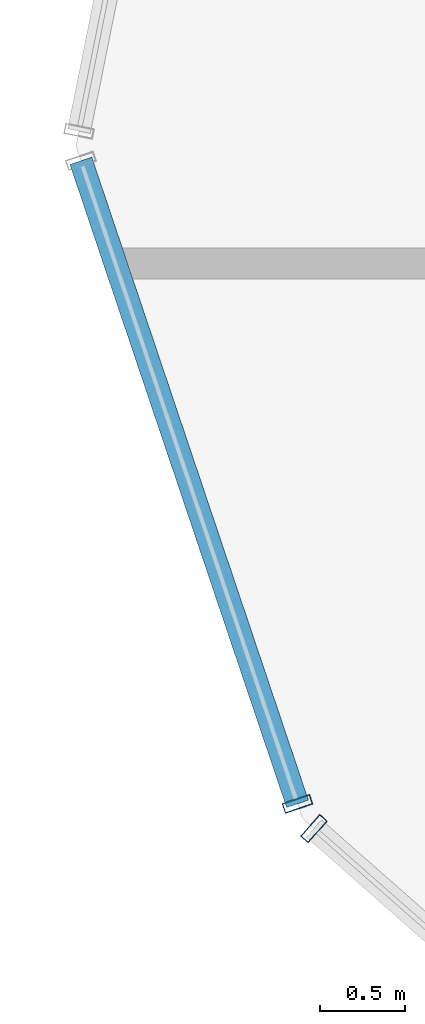
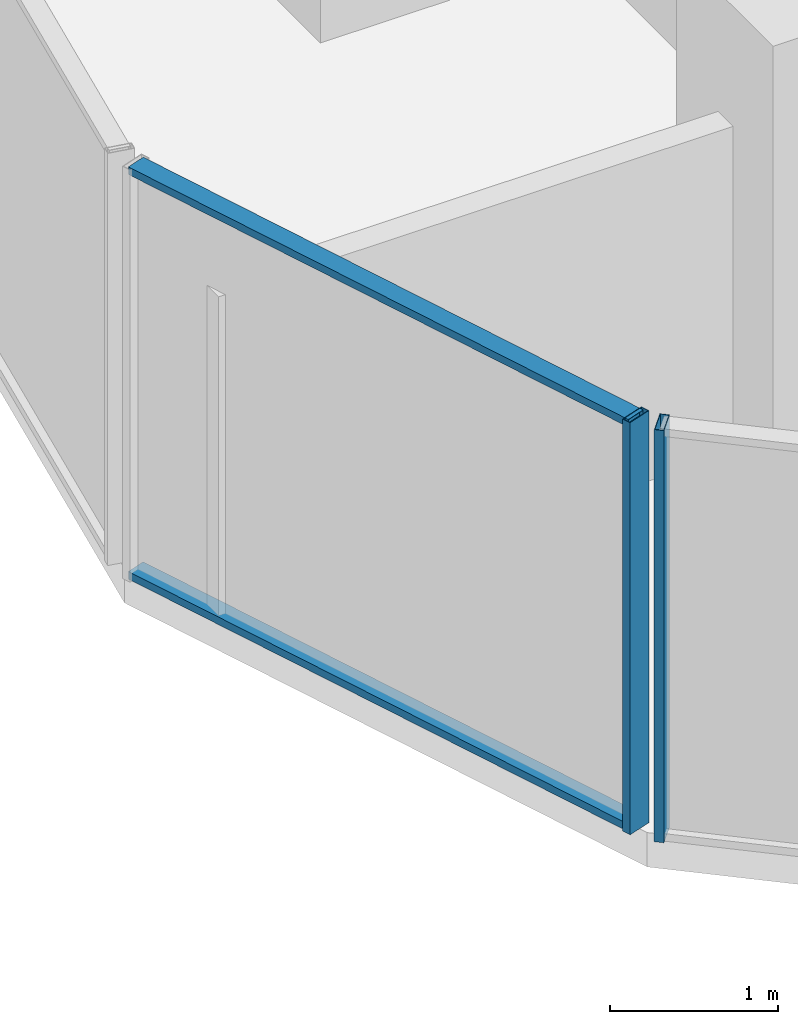
# One storey, part 5 of 32: 4 members, 2 elements without a shape of their own.
"""IFC4 building model written with IfcOpenShell, lengths in metres."""

from ifc_helpers import new_model, si_unit, direction, frame, origin, origin_2d, place, context, subcontext, project, spatial, hollow_rectangle, extrude, source, transform, mapped, material, layer, layer_set, material_profile, profile_set, type_object, element, aggregate, save


model = new_model("IFC4")

# Units and contexts
model_context = context("Model", 3, precision=1e-05, world=origin(), true_north=direction((0.0, 1.0)))
body_context = subcontext(model_context, "Body", "Model", "MODEL_VIEW")
ifc_project = project(units=[si_unit("LENGTHUNIT", "METRE"), si_unit("AREAUNIT", "SQUARE_METRE"), si_unit("VOLUMEUNIT", "CUBIC_METRE"), si_unit("PLANEANGLEUNIT", "RADIAN"), si_unit("MASSUNIT", "GRAM", prefix="KILO")], contexts=[model_context])

# Site, building, storey
site_placement = place(None, origin())
site = spatial("IfcSite", under=ifc_project, at=site_placement, CompositionType="ELEMENT")
building_placement = place(site_placement, origin())
building = spatial("IfcBuilding", under=site, at=building_placement, Name="Veraguas Prism Commons", CompositionType="ELEMENT")
storey_placement = place(building_placement, frame((0.0, 0.0, 89.449951171875)))
storey = spatial("IfcBuildingStorey", under=building, at=storey_placement, Name="L24", CompositionType="ELEMENT", Elevation=89.449951171875)

# Curtain wall, member
ifc_material = material(Name="Anodised aluminium EN AW-6063 T6", Category="aluminium")
ifc_layer = layer(ifc_material, 0.169921875, Name="Unitised Flush Curtain Wall Zone 2", Category="aluminium")
ifc_layer_set = layer_set([ifc_layer], Name="Anodised aluminium EN AW-6063 T6")
curtain_wall_type = type_object("IfcCurtainWallType", Name="Unitised Flush Curtain Wall Zone 2", PredefinedType="NOTDEFINED", material=ifc_layer_set)
curtain_wall_1_placement = place(storey_placement, origin())
curtain_wall_1 = element("IfcCurtainWall", 1, at=curtain_wall_1_placement, inside=storey, type_object=curtain_wall_type, Name="Tower Facade Curtain Wall L24-F4", PredefinedType="NOTDEFINED")
ifc_material_profile_1 = material_profile(ifc_material, hollow_rectangle(XDim=0.06005859375, YDim=0.169921875, WallThickness=0.00390625, at=origin_2d()), Name="AL60X170X4")
ifc_profile_set_1 = profile_set([ifc_material_profile_1], Name="Anodised aluminium EN AW-6063 T6")
member_type_1 = type_object("IfcMemberType", Name="Curtain Wall Mullion Lower AL 60x170x4", PredefinedType="MULLION", material=ifc_profile_set_1)
shared_shape_1 = source(origin(), body_context, "Body", "SweptSolid", [
    extrude(hollow_rectangle(XDim=0.06005859375, YDim=0.169921875, WallThickness=0.00390625, at=origin_2d()), origin(), (0.0, 0.0, 1.0), 3.0),
])
member_1_placement = place(storey_placement, frame((4.876220703125, 15.283203125, 0.0), z_axis=(0.0, 0.0, 1.0), x_axis=(0.750341865315, -0.661049986881, 0.0)))
member_1 = element("IfcMember", 2, at=member_1_placement, type_object=member_type_1, Name="CW-Z2 Mullion 1", PredefinedType="MULLION", context=body_context, shape_type="MappedRepresentation", body=[
    mapped(shared_shape_1, transform((0.0, 0.0, 0.0), scale=1.0)),
])
aggregate(curtain_wall_1, [member_1])

# Curtain wall, members
curtain_wall_2_placement = place(storey_placement, origin())
curtain_wall_2 = element("IfcCurtainWall", 3, at=curtain_wall_2_placement, inside=storey, type_object=curtain_wall_type, Name="Chamfer Curtain Wall L24-C4", PredefinedType="NOTDEFINED")
member_2_placement = place(storey_placement, frame((4.77978515625, 15.427978515625, 0.0), z_axis=(0.0, 0.0, 1.0), x_axis=(0.319290123445, -0.947657014468, 0.0)))
member_2 = element("IfcMember", 4, at=member_2_placement, type_object=member_type_1, Name="CW-Z2 Mullion 2", PredefinedType="MULLION", context=body_context, shape_type="MappedRepresentation", body=[
    mapped(shared_shape_1, transform((0.0, 0.0, 0.0), scale=1.0)),
])
ifc_material_profile_2 = material_profile(ifc_material, hollow_rectangle(XDim=0.054931640625, YDim=0.135009765625, WallThickness=0.0029296875, at=origin_2d()), Name="AL55X135X3")
ifc_profile_set_2 = profile_set([ifc_material_profile_2], Name="Anodised aluminium EN AW-6063 T6")
member_type_2 = type_object("IfcMemberType", Name="Curtain Wall Transom Standard AL 55x135x3", PredefinedType="USERDEFINED", material=ifc_profile_set_2)
shared_shape_2 = source(origin(), body_context, "Body", "SweptSolid", [
    extrude(hollow_rectangle(XDim=0.054931640625, YDim=0.135009765625, WallThickness=0.0029296875, at=origin_2d()), origin(), (0.0, 0.0, 1.0), 3.97314453125),
])
member_3_placement = place(storey_placement, frame((3.51123046875, 19.193115234375, 0.027587890625), z_axis=(0.319286254702, -0.947658317939, 0.0), x_axis=(0.0, 0.0, 1.0)))
member_3 = element("IfcMember", 5, at=member_3_placement, type_object=member_type_2, Name="CW-Z2 Transom 1", ObjectType="TRANSOM", PredefinedType="USERDEFINED", context=body_context, shape_type="MappedRepresentation", body=[
    mapped(shared_shape_2, transform((0.0, 0.0, 0.0), scale=1.0)),
])
member_4_placement = place(storey_placement, frame((3.51123046875, 19.193115234375, 2.97265625), z_axis=(0.319286254702, -0.947658317939, 0.0), x_axis=(0.0, 0.0, 1.0)))
member_4 = element("IfcMember", 6, at=member_4_placement, type_object=member_type_2, Name="CW-Z2 Transom 2", ObjectType="TRANSOM", PredefinedType="USERDEFINED", context=body_context, shape_type="MappedRepresentation", body=[
    mapped(shared_shape_2, transform((0.0, 0.0, 0.0), scale=1.0)),
])
aggregate(curtain_wall_2, [member_2, member_3, member_4])

save(model, "model.ifc")
